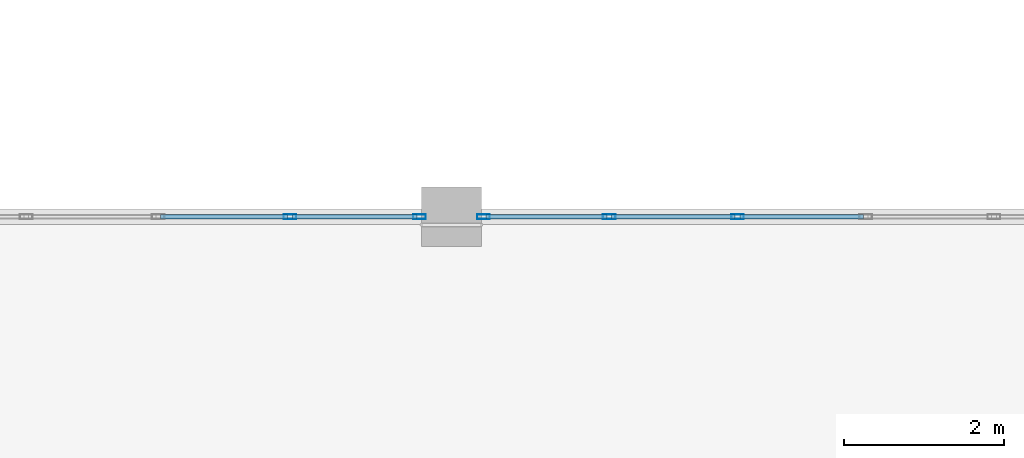
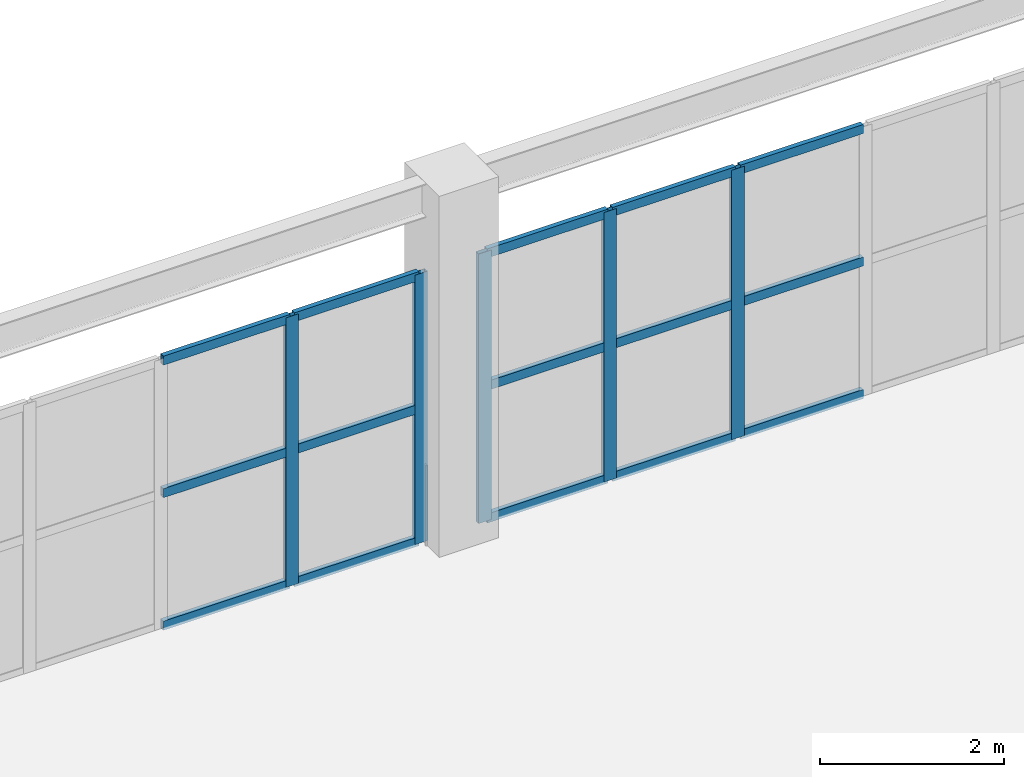
# One storey, part 48 of 89: 20 members, 2 elements without a shape of their own.
"""IFC4 building model written with IfcOpenShell, lengths in metres."""

from ifc_helpers import new_model, si_unit, direction, frame, origin, origin_2d, place, context, subcontext, project, spatial, hollow_rectangle, extrude, material, layer, layer_set, material_profile, profile_set, type_object, element, aggregate, save


model = new_model("IFC4")

# Units and contexts
model_context = context("Model", 3, precision=1e-05, world=origin(), true_north=direction((0.0, 1.0)))
body_context = subcontext(model_context, "Body", "Model", "MODEL_VIEW")
ifc_project = project(units=[si_unit("LENGTHUNIT", "METRE"), si_unit("AREAUNIT", "SQUARE_METRE"), si_unit("VOLUMEUNIT", "CUBIC_METRE"), si_unit("PLANEANGLEUNIT", "RADIAN"), si_unit("MASSUNIT", "GRAM", prefix="KILO")], contexts=[model_context])

# Site, building, storey
site_placement = place(None, origin())
site = spatial("IfcSite", under=ifc_project, at=site_placement, CompositionType="ELEMENT")
building_placement = place(site_placement, origin())
building = spatial("IfcBuilding", under=site, at=building_placement, Name="Dornveld Trade and Exhibition Forum", CompositionType="ELEMENT")
storey_placement = place(building_placement, frame((0.0, 0.0, 12.0)))
storey = spatial("IfcBuildingStorey", under=building, at=storey_placement, Name="L02", CompositionType="ELEMENT", Elevation=12.0)

# Curtain wall, members
ifc_material_1 = material(Name="Dark-bronze anodised aluminium and low-E glass", Category="aluminium")
ifc_layer_1 = layer(ifc_material_1, 0.172119140625)
ifc_layer_set_1 = layer_set([ifc_layer_1], Name="Dark-bronze anodised aluminium and low-E glass")
curtain_wall_type_1 = type_object("IfcCurtainWallType", Name="CW-SYS-10", PredefinedType="USERDEFINED", material=ifc_layer_set_1)
curtain_wall_1_placement = place(storey_placement, origin())
curtain_wall_1 = element("IfcCurtainWall", 1, at=curtain_wall_1_placement, inside=storey, type_object=curtain_wall_type_1, Name="L02 unitised curtain wall 28", ObjectType="UNITISED_CURTAIN_WALL", PredefinedType="USERDEFINED")
ifc_material_2 = material(Name="Dark-bronze anodised aluminium", Category="aluminium")
ifc_material_profile_1 = material_profile(ifc_material_2, hollow_rectangle(XDim=0.06005859375, YDim=0.159912109375, WallThickness=0.00390625, at=origin_2d()), Name="RHS 160x60x4")
ifc_profile_set_1 = profile_set([ifc_material_profile_1], Name="Dark-bronze anodised aluminium")
member_type_1 = type_object("IfcMemberType", Name="CW-MUL-160", PredefinedType="MULLION", material=ifc_profile_set_1)
member_1_placement = place(storey_placement, frame((71.59912109375, 135.0, -0.00390625), z_axis=(0.0, 0.0, 1.0), x_axis=(0.0, -1.0, 0.0)))
member_1 = element("IfcMember", 2, at=member_1_placement, type_object=member_type_1, Name="CW-10 mullion 1", PredefinedType="MULLION", context=body_context, shape_type="SweptSolid", body=[
    extrude(hollow_rectangle(XDim=0.06005859375, YDim=0.159912109375, WallThickness=0.00390625, at=origin_2d()), origin(), (0.0, 0.0, 1.0), 3.583984375),
])
member_2_placement = place(storey_placement, frame((69.977294921875, 135.0, -0.00390625), z_axis=(0.0, 0.0, 1.0), x_axis=(0.0, -1.0, 0.0)))
member_2 = element("IfcMember", 3, at=member_2_placement, type_object=member_type_1, Name="CW-10 mullion 2", PredefinedType="MULLION", context=body_context, shape_type="SweptSolid", body=[
    extrude(hollow_rectangle(XDim=0.06005859375, YDim=0.159912109375, WallThickness=0.00390625, at=origin_2d()), origin(), (0.0, 0.0, 1.0), 3.583984375),
])

ifc_material_3 = material(Name="Dark-bronze anodised aluminium and low-E glass", Category="aluminium")
ifc_layer_2 = layer(ifc_material_3, 0.177978515625)
ifc_layer_set_2 = layer_set([ifc_layer_2], Name="Dark-bronze anodised aluminium and low-E glass")
curtain_wall_type_2 = type_object("IfcCurtainWallType", Name="CW-SYS-12", PredefinedType="USERDEFINED", material=ifc_layer_set_2)
curtain_wall_2_placement = place(storey_placement, origin())
curtain_wall_2 = element("IfcCurtainWall", 4, at=curtain_wall_2_placement, inside=storey, type_object=curtain_wall_type_2, Name="L02 unitised curtain wall 30", ObjectType="UNITISED_CURTAIN_WALL", PredefinedType="USERDEFINED")
member_3_placement = place(storey_placement, frame((75.584228515625, 135.0, -0.00390625), z_axis=(0.0, 0.0, 1.0), x_axis=(0.0, -1.0, 0.0)))
member_3 = element("IfcMember", 5, at=member_3_placement, type_object=member_type_1, Name="CW-12 mullion 4", PredefinedType="MULLION", context=body_context, shape_type="SweptSolid", body=[
    extrude(hollow_rectangle(XDim=0.06005859375, YDim=0.159912109375, WallThickness=0.00390625, at=origin_2d()), origin(), (0.0, 0.0, 1.0), 3.583984375),
])
member_4_placement = place(storey_placement, frame((73.9775390625, 135.0, -0.00390625), z_axis=(0.0, 0.0, 1.0), x_axis=(0.0, -1.0, 0.0)))
member_4 = element("IfcMember", 6, at=member_4_placement, type_object=member_type_1, Name="CW-12 mullion 5", PredefinedType="MULLION", context=body_context, shape_type="SweptSolid", body=[
    extrude(hollow_rectangle(XDim=0.06005859375, YDim=0.159912109375, WallThickness=0.00390625, at=origin_2d()), origin(), (0.0, 0.0, 1.0), 3.583984375),
])
member_5_placement = place(storey_placement, frame((72.40087890625, 135.0, -0.00390625), z_axis=(0.0, 0.0, 1.0), x_axis=(0.0, -1.0, 0.0)))
member_5 = element("IfcMember", 7, at=member_5_placement, type_object=member_type_1, Name="CW-12 mullion 6", PredefinedType="MULLION", context=body_context, shape_type="SweptSolid", body=[
    extrude(hollow_rectangle(XDim=0.06005859375, YDim=0.159912109375, WallThickness=0.00390625, at=origin_2d()), origin(), (0.0, 0.0, 1.0), 3.583984375),
])

# Member
ifc_material_4 = material(Name="Dark-bronze anodised aluminium", Category="aluminium")
ifc_material_profile_2 = material_profile(ifc_material_4, hollow_rectangle(XDim=0.06005859375, YDim=0.1201171875, WallThickness=0.00390625, at=origin_2d()), Name="RHS 120x60x4")
ifc_profile_set_2 = profile_set([ifc_material_profile_2], Name="Dark-bronze anodised aluminium")
member_type_2 = type_object("IfcMemberType", Name="CW-TRN-120", PredefinedType="USERDEFINED", material=ifc_profile_set_2)
member_6_placement = place(storey_placement, frame((71.569091796875, 135.0, 0.02587890625), z_axis=(-1.0, 0.0, 0.0), x_axis=(0.0, -1.0, 0.0)))
member_6 = element("IfcMember", 8, at=member_6_placement, type_object=member_type_2, Name="CW-10 transom 1.1", ObjectType="TRANSOM", PredefinedType="USERDEFINED", context=body_context, shape_type="SweptSolid", body=[
    extrude(hollow_rectangle(XDim=0.06005859375, YDim=0.1201171875, WallThickness=0.00390625, at=origin_2d()), origin(), (0.0, 0.0, 1.0), 1.561767578125),
])

member_7_placement = place(storey_placement, frame((71.569091796875, 135.0, 1.7880859375), z_axis=(-1.0, 0.0, 0.0), x_axis=(0.0, -1.0, 0.0)))
member_7 = element("IfcMember", 9, at=member_7_placement, type_object=member_type_2, Name="CW-10 transom 1.2", ObjectType="TRANSOM", PredefinedType="USERDEFINED", context=body_context, shape_type="SweptSolid", body=[
    extrude(hollow_rectangle(XDim=0.06005859375, YDim=0.1201171875, WallThickness=0.00390625, at=origin_2d()), origin(), (0.0, 0.0, 1.0), 1.561767578125),
])

member_8_placement = place(storey_placement, frame((71.569091796875, 135.0, 3.550048828125), z_axis=(-1.0, 0.0, 0.0), x_axis=(0.0, -1.0, 0.0)))
member_8 = element("IfcMember", 10, at=member_8_placement, type_object=member_type_2, Name="CW-10 transom 1.3", ObjectType="TRANSOM", PredefinedType="USERDEFINED", context=body_context, shape_type="SweptSolid", body=[
    extrude(hollow_rectangle(XDim=0.06005859375, YDim=0.1201171875, WallThickness=0.00390625, at=origin_2d()), origin(), (0.0, 0.0, 1.0), 1.561767578125),
])

member_9_placement = place(storey_placement, frame((69.947509765625, 135.0, 0.02587890625), z_axis=(-1.0, 0.0, 0.0), x_axis=(0.0, -1.0, 0.0)))
member_9 = element("IfcMember", 11, at=member_9_placement, type_object=member_type_2, Name="CW-10 transom 2.1", ObjectType="TRANSOM", PredefinedType="USERDEFINED", context=body_context, shape_type="SweptSolid", body=[
    extrude(hollow_rectangle(XDim=0.06005859375, YDim=0.1201171875, WallThickness=0.00390625, at=origin_2d()), origin(), (0.0, 0.0, 1.0), 1.591796875),
])

member_10_placement = place(storey_placement, frame((69.947509765625, 135.0, 1.7880859375), z_axis=(-1.0, 0.0, 0.0), x_axis=(0.0, -1.0, 0.0)))
member_10 = element("IfcMember", 12, at=member_10_placement, type_object=member_type_2, Name="CW-10 transom 2.2", ObjectType="TRANSOM", PredefinedType="USERDEFINED", context=body_context, shape_type="SweptSolid", body=[
    extrude(hollow_rectangle(XDim=0.06005859375, YDim=0.1201171875, WallThickness=0.00390625, at=origin_2d()), origin(), (0.0, 0.0, 1.0), 1.591796875),
])

member_11_placement = place(storey_placement, frame((69.947509765625, 135.0, 3.550048828125), z_axis=(-1.0, 0.0, 0.0), x_axis=(0.0, -1.0, 0.0)))
member_11 = element("IfcMember", 13, at=member_11_placement, type_object=member_type_2, Name="CW-10 transom 2.3", ObjectType="TRANSOM", PredefinedType="USERDEFINED", context=body_context, shape_type="SweptSolid", body=[
    extrude(hollow_rectangle(XDim=0.06005859375, YDim=0.1201171875, WallThickness=0.00390625, at=origin_2d()), origin(), (0.0, 0.0, 1.0), 1.591796875),
])

aggregate(curtain_wall_1, [member_1, member_2, member_6, member_7, member_8, member_9, member_10, member_11])

member_12_placement = place(storey_placement, frame((77.160888671875, 135.0, 0.02587890625), z_axis=(-1.0, 0.0, 0.0), x_axis=(0.0, -1.0, 0.0)))
member_12 = element("IfcMember", 14, at=member_12_placement, type_object=member_type_2, Name="CW-12 transom 3.1", ObjectType="TRANSOM", PredefinedType="USERDEFINED", context=body_context, shape_type="SweptSolid", body=[
    extrude(hollow_rectangle(XDim=0.06005859375, YDim=0.1201171875, WallThickness=0.00390625, at=origin_2d()), origin(), (0.0, 0.0, 1.0), 1.546630859375),
])

member_13_placement = place(storey_placement, frame((77.160888671875, 135.0, 1.7880859375), z_axis=(-1.0, 0.0, 0.0), x_axis=(0.0, -1.0, 0.0)))
member_13 = element("IfcMember", 15, at=member_13_placement, type_object=member_type_2, Name="CW-12 transom 3.2", ObjectType="TRANSOM", PredefinedType="USERDEFINED", context=body_context, shape_type="SweptSolid", body=[
    extrude(hollow_rectangle(XDim=0.06005859375, YDim=0.1201171875, WallThickness=0.00390625, at=origin_2d()), origin(), (0.0, 0.0, 1.0), 1.546630859375),
])

member_14_placement = place(storey_placement, frame((77.160888671875, 135.0, 3.550048828125), z_axis=(-1.0, 0.0, 0.0), x_axis=(0.0, -1.0, 0.0)))
member_14 = element("IfcMember", 16, at=member_14_placement, type_object=member_type_2, Name="CW-12 transom 3.3", ObjectType="TRANSOM", PredefinedType="USERDEFINED", context=body_context, shape_type="SweptSolid", body=[
    extrude(hollow_rectangle(XDim=0.06005859375, YDim=0.1201171875, WallThickness=0.00390625, at=origin_2d()), origin(), (0.0, 0.0, 1.0), 1.546630859375),
])

member_15_placement = place(storey_placement, frame((75.55419921875, 135.0, 0.02587890625), z_axis=(-1.0, 0.0, 0.0), x_axis=(0.0, -1.0, 0.0)))
member_15 = element("IfcMember", 17, at=member_15_placement, type_object=member_type_2, Name="CW-12 transom 4.1", ObjectType="TRANSOM", PredefinedType="USERDEFINED", context=body_context, shape_type="SweptSolid", body=[
    extrude(hollow_rectangle(XDim=0.06005859375, YDim=0.1201171875, WallThickness=0.00390625, at=origin_2d()), origin(), (0.0, 0.0, 1.0), 1.546630859375),
])

member_16_placement = place(storey_placement, frame((75.55419921875, 135.0, 1.7880859375), z_axis=(-1.0, 0.0, 0.0), x_axis=(0.0, -1.0, 0.0)))
member_16 = element("IfcMember", 18, at=member_16_placement, type_object=member_type_2, Name="CW-12 transom 4.2", ObjectType="TRANSOM", PredefinedType="USERDEFINED", context=body_context, shape_type="SweptSolid", body=[
    extrude(hollow_rectangle(XDim=0.06005859375, YDim=0.1201171875, WallThickness=0.00390625, at=origin_2d()), origin(), (0.0, 0.0, 1.0), 1.546630859375),
])

member_17_placement = place(storey_placement, frame((75.55419921875, 135.0, 3.550048828125), z_axis=(-1.0, 0.0, 0.0), x_axis=(0.0, -1.0, 0.0)))
member_17 = element("IfcMember", 19, at=member_17_placement, type_object=member_type_2, Name="CW-12 transom 4.3", ObjectType="TRANSOM", PredefinedType="USERDEFINED", context=body_context, shape_type="SweptSolid", body=[
    extrude(hollow_rectangle(XDim=0.06005859375, YDim=0.1201171875, WallThickness=0.00390625, at=origin_2d()), origin(), (0.0, 0.0, 1.0), 1.546630859375),
])

member_18_placement = place(storey_placement, frame((73.947509765625, 135.0, 0.02587890625), z_axis=(-1.0, 0.0, 0.0), x_axis=(0.0, -1.0, 0.0)))
member_18 = element("IfcMember", 20, at=member_18_placement, type_object=member_type_2, Name="CW-12 transom 5.1", ObjectType="TRANSOM", PredefinedType="USERDEFINED", context=body_context, shape_type="SweptSolid", body=[
    extrude(hollow_rectangle(XDim=0.06005859375, YDim=0.1201171875, WallThickness=0.00390625, at=origin_2d()), origin(), (0.0, 0.0, 1.0), 1.5166015625),
])

member_19_placement = place(storey_placement, frame((73.947509765625, 135.0, 1.7880859375), z_axis=(-1.0, 0.0, 0.0), x_axis=(0.0, -1.0, 0.0)))
member_19 = element("IfcMember", 21, at=member_19_placement, type_object=member_type_2, Name="CW-12 transom 5.2", ObjectType="TRANSOM", PredefinedType="USERDEFINED", context=body_context, shape_type="SweptSolid", body=[
    extrude(hollow_rectangle(XDim=0.06005859375, YDim=0.1201171875, WallThickness=0.00390625, at=origin_2d()), origin(), (0.0, 0.0, 1.0), 1.5166015625),
])

member_20_placement = place(storey_placement, frame((73.947509765625, 135.0, 3.550048828125), z_axis=(-1.0, 0.0, 0.0), x_axis=(0.0, -1.0, 0.0)))
member_20 = element("IfcMember", 22, at=member_20_placement, type_object=member_type_2, Name="CW-12 transom 5.3", ObjectType="TRANSOM", PredefinedType="USERDEFINED", context=body_context, shape_type="SweptSolid", body=[
    extrude(hollow_rectangle(XDim=0.06005859375, YDim=0.1201171875, WallThickness=0.00390625, at=origin_2d()), origin(), (0.0, 0.0, 1.0), 1.5166015625),
])

aggregate(curtain_wall_2, [member_3, member_4, member_5, member_12, member_13, member_14, member_15, member_16, member_17, member_18, member_19, member_20])

save(model, "model.ifc")
